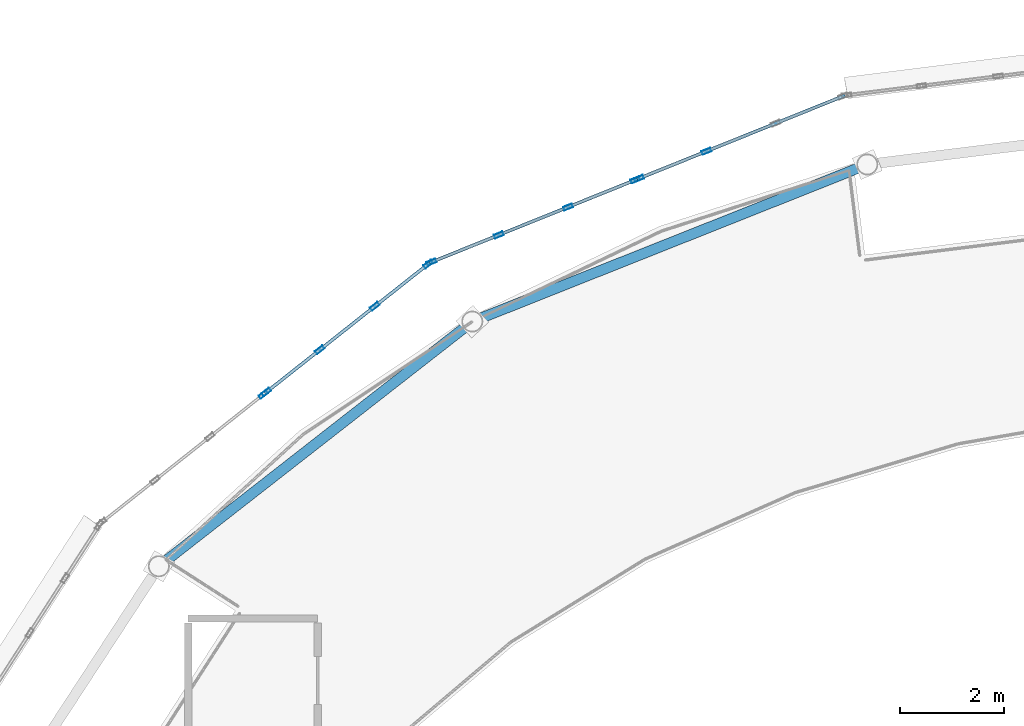
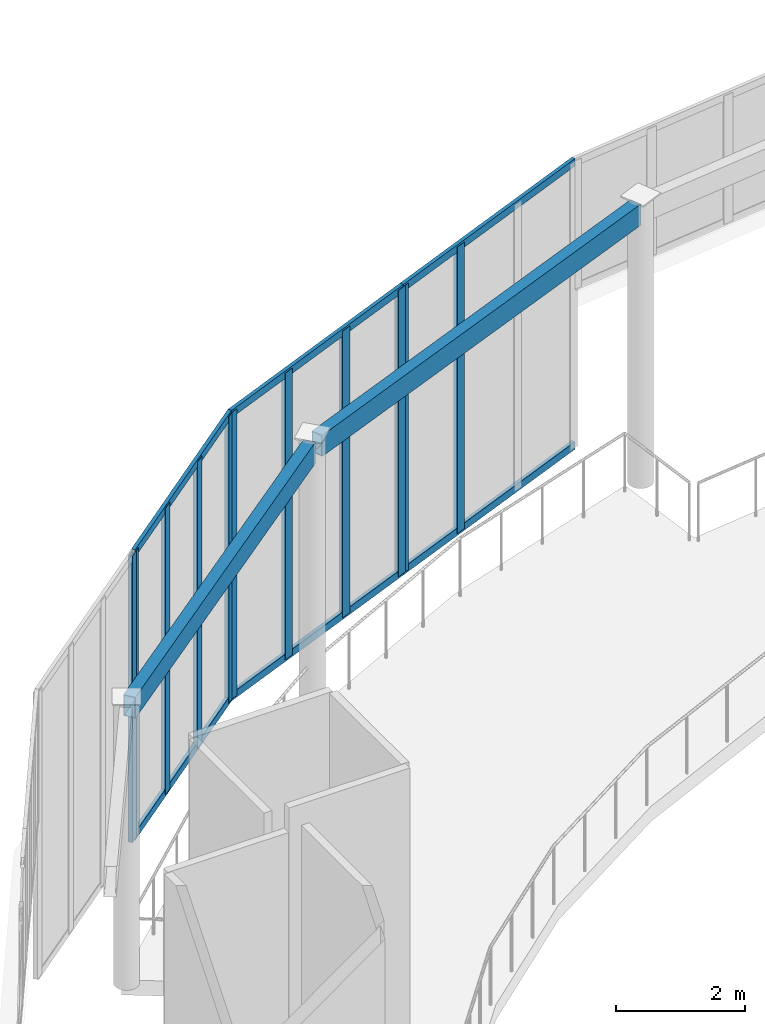
# One storey, part 44 of 98: 17 members, 2 beams, 4 elements without a shape of their own.
"""IFC4 building model written with IfcOpenShell, lengths in metres."""

from ifc_helpers import new_model, si_unit, direction, frame, origin, origin_2d, place, context, subcontext, project, spatial, hollow_rectangle, extrude, material, layer, layer_set, material_profile, profile_set, type_object, element, aggregate, save


model = new_model("IFC4")

# Units and contexts
model_context = context("Model", 3, precision=1e-05, world=origin(), true_north=direction((0.0, 1.0)))
body_context = subcontext(model_context, "Body", "Model", "MODEL_VIEW")
ifc_project = project(units=[si_unit("LENGTHUNIT", "METRE"), si_unit("AREAUNIT", "SQUARE_METRE"), si_unit("VOLUMEUNIT", "CUBIC_METRE"), si_unit("PLANEANGLEUNIT", "RADIAN"), si_unit("MASSUNIT", "GRAM", prefix="KILO")], contexts=[model_context])

# Site, building, storey
site_placement = place(None, origin())
site = spatial("IfcSite", under=ifc_project, at=site_placement, CompositionType="ELEMENT")
building_placement = place(site_placement, origin())
building = spatial("IfcBuilding", under=site, at=building_placement, Name="Sollismere Congress Hotel", CompositionType="ELEMENT")
storey_placement = place(building_placement, frame((0.0, 0.0, 5.39990234375)))
storey = spatial("IfcBuildingStorey", under=building, at=storey_placement, Name="L01", CompositionType="ELEMENT", Elevation=5.39990234375)

# Beams
ifc_material_1 = material(Name="Steel ASTM A500 Grade C", Category="steel")
ifc_material_profile_1 = material_profile(ifc_material_1, hollow_rectangle(XDim=0.199951171875, YDim=0.39990234375, WallThickness=0.011962890625, at=origin_2d()), Name="HSS400X200X12")
ifc_profile_set_1 = profile_set([ifc_material_profile_1], Name="Steel ASTM A500 Grade C")
beam_type = type_object("IfcBeamType", Name="BM-BX400", PredefinedType="HOLLOWCORE", material=ifc_profile_set_1)
beam_1_placement = place(storey_placement, frame((20.43701171875, 110.66064453125, 5.150146484375), z_axis=(-0.92919785881, -0.369582655414, 0.0), x_axis=(0.369582655414, -0.92919785881, 0.0)))
element("IfcBeam", 1, at=beam_1_placement, inside=storey, type_object=beam_type, Name="Beam BM-L01-4192", PredefinedType="HOLLOWCORE", context=body_context, shape_type="SweptSolid", body=[
    extrude(hollow_rectangle(XDim=0.199951171875, YDim=0.39990234375, WallThickness=0.011962890625, at=origin_2d()), origin(), (0.0, 0.0, 1.0), 7.96533203125),
])
beam_2_placement = place(storey_placement, frame((12.82958984375, 107.5986328125, 5.150146484375), z_axis=(-0.788263734949, -0.615337536775, 0.0), x_axis=(0.615337536775, -0.788263734949, 0.0)))
element("IfcBeam", 2, at=beam_2_placement, inside=storey, type_object=beam_type, Name="Beam BM-L01-4193", PredefinedType="HOLLOWCORE", context=body_context, shape_type="SweptSolid", body=[
    extrude(hollow_rectangle(XDim=0.199951171875, YDim=0.39990234375, WallThickness=0.011962890625, at=origin_2d()), origin(), (0.0, 0.0, 1.0), 7.43603515625),
])

# Curtain wall, members
ifc_material_2 = material(Name="Anodized Bronze Curtain Wall & Low-E Triple Glazing", Category="glass")
ifc_layer = layer(ifc_material_2, 0.199951171875, Name="Anodized Bronze Curtain Wall & Low-E Triple Glazing")
ifc_layer_set = layer_set([ifc_layer], Name="Anodized Bronze Curtain Wall & Low-E Triple Glazing")
curtain_wall_type = type_object("IfcCurtainWallType", Name="CW-GLZ36", PredefinedType="USERDEFINED", material=ifc_layer_set)
curtain_wall_1_placement = place(storey_placement, origin())
curtain_wall_1 = element("IfcCurtainWall", 3, at=curtain_wall_1_placement, inside=storey, type_object=curtain_wall_type, Name="Unitised curtain wall CW-L01-023", ObjectType="UNITISED CURTAIN WALL", PredefinedType="USERDEFINED")
ifc_material_3 = material(Name="Anodized Aluminum 6063-T6", Category="aluminium")
ifc_material_profile_2 = material_profile(ifc_material_3, hollow_rectangle(XDim=0.074951171875, YDim=0.179931640625, WallThickness=0.0048828125, at=origin_2d()), Name="ALU180X75X5")
ifc_profile_set_2 = profile_set([ifc_material_profile_2], Name="Anodized Aluminum 6063-T6")
member_type_1 = type_object("IfcMemberType", Name="ML-CW180", PredefinedType="MULLION", material=ifc_profile_set_2)
member_1_placement = place(storey_placement, frame((17.4443359375, 110.95947265625, 0.0), z_axis=(0.0, 0.0, 1.0), x_axis=(0.373943018709, -0.927451680013, 0.0)))
member_1 = element("IfcMember", 4, at=member_1_placement, type_object=member_type_1, Name="CWL-CW-L01-023-ML03", PredefinedType="MULLION", context=body_context, shape_type="SweptSolid", body=[
    extrude(hollow_rectangle(XDim=0.074951171875, YDim=0.179931640625, WallThickness=0.0048828125, at=origin_2d()), origin(), (0.0, 0.0, 1.0), 5.420166015625),
])
member_2_placement = place(storey_placement, frame((16.143798828125, 110.43505859375, 0.0), z_axis=(0.0, 0.0, 1.0), x_axis=(0.373943018709, -0.927451680013, 0.0)))
member_2 = element("IfcMember", 5, at=member_2_placement, type_object=member_type_1, Name="CWL-CW-L01-023-ML04", PredefinedType="MULLION", context=body_context, shape_type="SweptSolid", body=[
    extrude(hollow_rectangle(XDim=0.074951171875, YDim=0.179931640625, WallThickness=0.0048828125, at=origin_2d()), origin(), (0.0, 0.0, 1.0), 5.420166015625),
])

curtain_wall_2_placement = place(storey_placement, origin())
curtain_wall_2 = element("IfcCurtainWall", 6, at=curtain_wall_2_placement, inside=storey, type_object=curtain_wall_type, Name="Unitised curtain wall CW-L01-024", ObjectType="UNITISED CURTAIN WALL", PredefinedType="USERDEFINED")
member_3_placement = place(storey_placement, frame((16.0732421875, 110.406494140625, 0.0), z_axis=(0.0, 0.0, 1.0), x_axis=(0.373943018709, -0.927451680013, 0.0)))
member_3 = element("IfcMember", 7, at=member_3_placement, type_object=member_type_1, Name="CWL-CW-L01-024-ML01", PredefinedType="MULLION", context=body_context, shape_type="SweptSolid", body=[
    extrude(hollow_rectangle(XDim=0.074951171875, YDim=0.179931640625, WallThickness=0.0048828125, at=origin_2d()), origin(), (0.0, 0.0, 1.0), 5.420166015625),
])
member_4_placement = place(storey_placement, frame((14.772705078125, 109.882080078125, 0.0), z_axis=(0.0, 0.0, 1.0), x_axis=(0.373943018709, -0.927451680013, 0.0)))
member_4 = element("IfcMember", 8, at=member_4_placement, type_object=member_type_1, Name="CWL-CW-L01-024-ML02", PredefinedType="MULLION", context=body_context, shape_type="SweptSolid", body=[
    extrude(hollow_rectangle(XDim=0.074951171875, YDim=0.179931640625, WallThickness=0.0048828125, at=origin_2d()), origin(), (0.0, 0.0, 1.0), 5.420166015625),
])
member_5_placement = place(storey_placement, frame((13.43701171875, 109.34375, 0.0), z_axis=(0.0, 0.0, 1.0), x_axis=(0.373943018709, -0.927451680013, 0.0)))
member_5 = element("IfcMember", 9, at=member_5_placement, type_object=member_type_1, Name="CWL-CW-L01-024-ML03", PredefinedType="MULLION", context=body_context, shape_type="SweptSolid", body=[
    extrude(hollow_rectangle(XDim=0.074951171875, YDim=0.179931640625, WallThickness=0.0048828125, at=origin_2d()), origin(), (0.0, 0.0, 1.0), 5.420166015625),
])
member_6_placement = place(storey_placement, frame((12.136474609375, 108.8193359375, 0.0), z_axis=(0.0, 0.0, 1.0), x_axis=(0.373943018709, -0.927451680013, 0.0)))
member_6 = element("IfcMember", 10, at=member_6_placement, type_object=member_type_1, Name="CWL-CW-L01-024-ML04", PredefinedType="MULLION", context=body_context, shape_type="SweptSolid", body=[
    extrude(hollow_rectangle(XDim=0.074951171875, YDim=0.179931640625, WallThickness=0.0048828125, at=origin_2d()), origin(), (0.0, 0.0, 1.0), 5.420166015625),
])

curtain_wall_3_placement = place(storey_placement, origin())
curtain_wall_3 = element("IfcCurtainWall", 11, at=curtain_wall_3_placement, inside=storey, type_object=curtain_wall_type, Name="Unitised curtain wall CW-L01-029", ObjectType="UNITISED CURTAIN WALL", PredefinedType="USERDEFINED")
member_7_placement = place(storey_placement, frame((12.0712890625, 108.781494140625, 0.0), z_axis=(0.0, 0.0, 1.0), x_axis=(0.620532077362, -0.784181063891, 0.0)))
member_7 = element("IfcMember", 12, at=member_7_placement, type_object=member_type_1, Name="CWL-CW-L01-029-ML01", PredefinedType="MULLION", context=body_context, shape_type="SweptSolid", body=[
    extrude(hollow_rectangle(XDim=0.074951171875, YDim=0.179931640625, WallThickness=0.0048828125, at=origin_2d()), origin(), (0.0, 0.0, 1.0), 5.420166015625),
])
member_8_placement = place(storey_placement, frame((11.041015625, 107.96630859375, 0.0), z_axis=(0.0, 0.0, 1.0), x_axis=(0.620532077362, -0.784181063891, 0.0)))
member_8 = element("IfcMember", 13, at=member_8_placement, type_object=member_type_1, Name="CWL-CW-L01-029-ML02", PredefinedType="MULLION", context=body_context, shape_type="SweptSolid", body=[
    extrude(hollow_rectangle(XDim=0.074951171875, YDim=0.179931640625, WallThickness=0.0048828125, at=origin_2d()), origin(), (0.0, 0.0, 1.0), 5.420166015625),
])
member_9_placement = place(storey_placement, frame((9.981201171875, 107.12744140625, 0.0), z_axis=(0.0, 0.0, 1.0), x_axis=(0.620532077362, -0.784181063891, 0.0)))
member_9 = element("IfcMember", 14, at=member_9_placement, type_object=member_type_1, Name="CWL-CW-L01-029-ML03", PredefinedType="MULLION", context=body_context, shape_type="SweptSolid", body=[
    extrude(hollow_rectangle(XDim=0.074951171875, YDim=0.179931640625, WallThickness=0.0048828125, at=origin_2d()), origin(), (0.0, 0.0, 1.0), 5.420166015625),
])
member_10_placement = place(storey_placement, frame((8.95068359375, 106.312255859375, 0.0), z_axis=(0.0, 0.0, 1.0), x_axis=(0.620532077362, -0.784181063891, 0.0)))
member_10 = element("IfcMember", 15, at=member_10_placement, type_object=member_type_1, Name="CWL-CW-L01-029-ML04", PredefinedType="MULLION", context=body_context, shape_type="SweptSolid", body=[
    extrude(hollow_rectangle(XDim=0.074951171875, YDim=0.179931640625, WallThickness=0.0048828125, at=origin_2d()), origin(), (0.0, 0.0, 1.0), 5.420166015625),
])

# Curtain wall, member
curtain_wall_4_placement = place(storey_placement, origin())
curtain_wall_4 = element("IfcCurtainWall", 16, at=curtain_wall_4_placement, inside=storey, type_object=curtain_wall_type, Name="Unitised curtain wall CW-L01-030", ObjectType="UNITISED CURTAIN WALL", PredefinedType="USERDEFINED")
member_11_placement = place(storey_placement, frame((8.89111328125, 106.264892578125, 0.0), z_axis=(0.0, 0.0, 1.0), x_axis=(0.620532077362, -0.784181063891, 0.0)))
member_11 = element("IfcMember", 17, at=member_11_placement, type_object=member_type_1, Name="CWL-CW-L01-030-ML01", PredefinedType="MULLION", context=body_context, shape_type="SweptSolid", body=[
    extrude(hollow_rectangle(XDim=0.074951171875, YDim=0.179931640625, WallThickness=0.0048828125, at=origin_2d()), origin(), (0.0, 0.0, 1.0), 5.420166015625),
])
aggregate(curtain_wall_4, [member_11])

# Member
ifc_material_profile_3 = material_profile(ifc_material_3, hollow_rectangle(XDim=0.06494140625, YDim=0.139892578125, WallThickness=0.00390625, at=origin_2d()), Name="ALU140X65X4")
ifc_profile_set_3 = profile_set([ifc_material_profile_3], Name="Anodized Aluminum 6063-T6")
member_type_2 = type_object("IfcMemberType", Name="TR-CW150", PredefinedType="MEMBER", material=ifc_profile_set_3)
member_12_placement = place(storey_placement, frame((20.11572265625, 112.03662109375, 0.03271484375), z_axis=(-0.927452218611, -0.373941682878, 0.0), x_axis=(0.373941682878, -0.927452218611, 0.0)))
member_12 = element("IfcMember", 18, at=member_12_placement, type_object=member_type_2, Name="CWL-CW-L01-023-TR1", PredefinedType="MEMBER", context=body_context, shape_type="SweptSolid", body=[
    extrude(hollow_rectangle(XDim=0.06494140625, YDim=0.139892578125, WallThickness=0.00390625, at=origin_2d()), origin(), (0.0, 0.0, 1.0), 4.32080078125),
])

member_13_placement = place(storey_placement, frame((20.11572265625, 112.03662109375, 5.3876953125), z_axis=(-0.927452218611, -0.373941682878, 0.0), x_axis=(0.373941682878, -0.927452218611, 0.0)))
member_13 = element("IfcMember", 19, at=member_13_placement, type_object=member_type_2, Name="CWL-CW-L01-023-TR2", PredefinedType="MEMBER", context=body_context, shape_type="SweptSolid", body=[
    extrude(hollow_rectangle(XDim=0.06494140625, YDim=0.139892578125, WallThickness=0.00390625, at=origin_2d()), origin(), (0.0, 0.0, 1.0), 4.32080078125),
])

aggregate(curtain_wall_1, [member_1, member_2, member_12, member_13])

member_14_placement = place(storey_placement, frame((16.1083984375, 110.4208984375, 0.03271484375), z_axis=(-0.927444316939, -0.373961280052, 0.0), x_axis=(0.373961280052, -0.927444316939, 0.0)))
member_14 = element("IfcMember", 20, at=member_14_placement, type_object=member_type_2, Name="CWL-CW-L01-024-TR1", PredefinedType="MEMBER", context=body_context, shape_type="SweptSolid", body=[
    extrude(hollow_rectangle(XDim=0.06494140625, YDim=0.139892578125, WallThickness=0.00390625, at=origin_2d()), origin(), (0.0, 0.0, 1.0), 4.320556640625),
])

member_15_placement = place(storey_placement, frame((16.1083984375, 110.4208984375, 5.3876953125), z_axis=(-0.927444316939, -0.373961280052, 0.0), x_axis=(0.373961280052, -0.927444316939, 0.0)))
member_15 = element("IfcMember", 21, at=member_15_placement, type_object=member_type_2, Name="CWL-CW-L01-024-TR2", PredefinedType="MEMBER", context=body_context, shape_type="SweptSolid", body=[
    extrude(hollow_rectangle(XDim=0.06494140625, YDim=0.139892578125, WallThickness=0.00390625, at=origin_2d()), origin(), (0.0, 0.0, 1.0), 4.320556640625),
])

aggregate(curtain_wall_2, [member_3, member_4, member_5, member_6, member_14, member_15])

member_16_placement = place(storey_placement, frame((12.101318359375, 108.80517578125, 0.03271484375), z_axis=(-0.784193501486, -0.620516359355, 0.0), x_axis=(0.620516359355, -0.784193501486, 0.0)))
member_16 = element("IfcMember", 22, at=member_16_placement, type_object=member_type_2, Name="CWL-CW-L01-029-TR1", PredefinedType="MEMBER", context=body_context, shape_type="SweptSolid", body=[
    extrude(hollow_rectangle(XDim=0.06494140625, YDim=0.139892578125, WallThickness=0.00390625, at=origin_2d()), origin(), (0.0, 0.0, 1.0), 4.0556640625),
])

member_17_placement = place(storey_placement, frame((12.101318359375, 108.80517578125, 5.3876953125), z_axis=(-0.784193501486, -0.620516359355, 0.0), x_axis=(0.620516359355, -0.784193501486, 0.0)))
member_17 = element("IfcMember", 23, at=member_17_placement, type_object=member_type_2, Name="CWL-CW-L01-029-TR2", PredefinedType="MEMBER", context=body_context, shape_type="SweptSolid", body=[
    extrude(hollow_rectangle(XDim=0.06494140625, YDim=0.139892578125, WallThickness=0.00390625, at=origin_2d()), origin(), (0.0, 0.0, 1.0), 4.0556640625),
])

aggregate(curtain_wall_3, [member_7, member_8, member_9, member_10, member_16, member_17])

save(model, "model.ifc")
